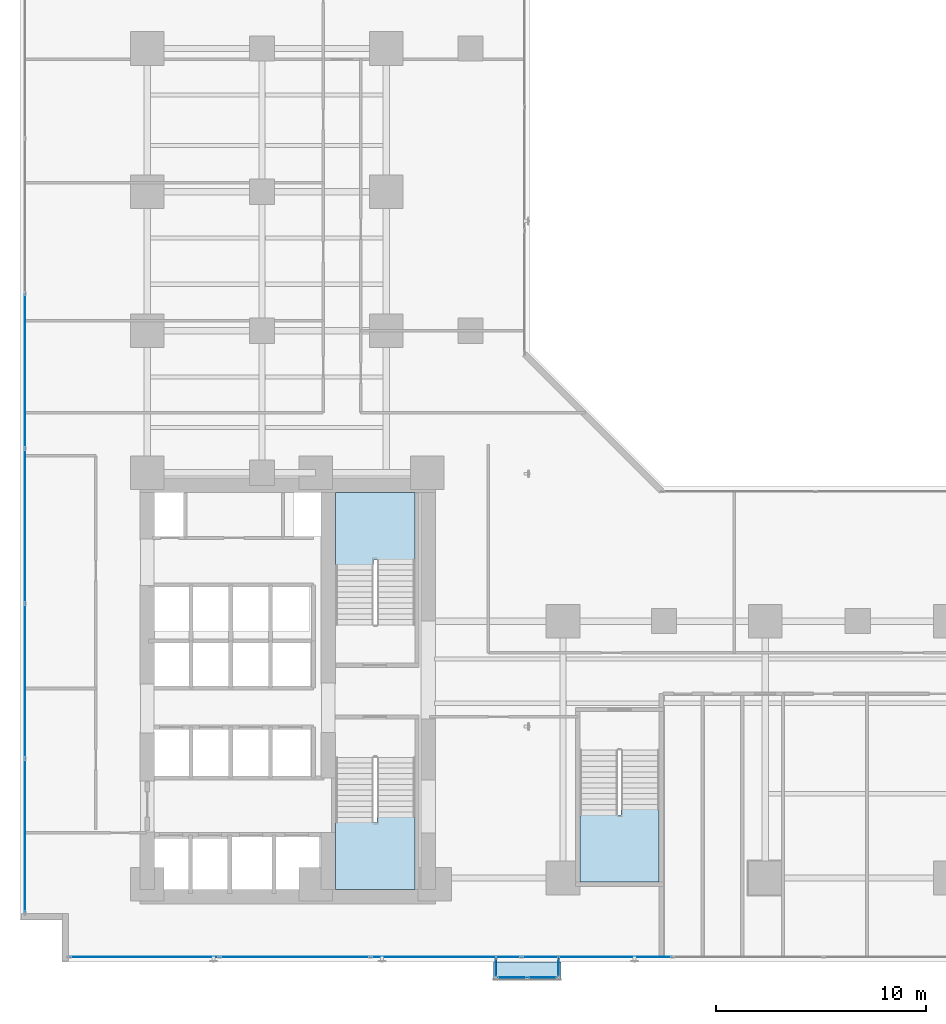
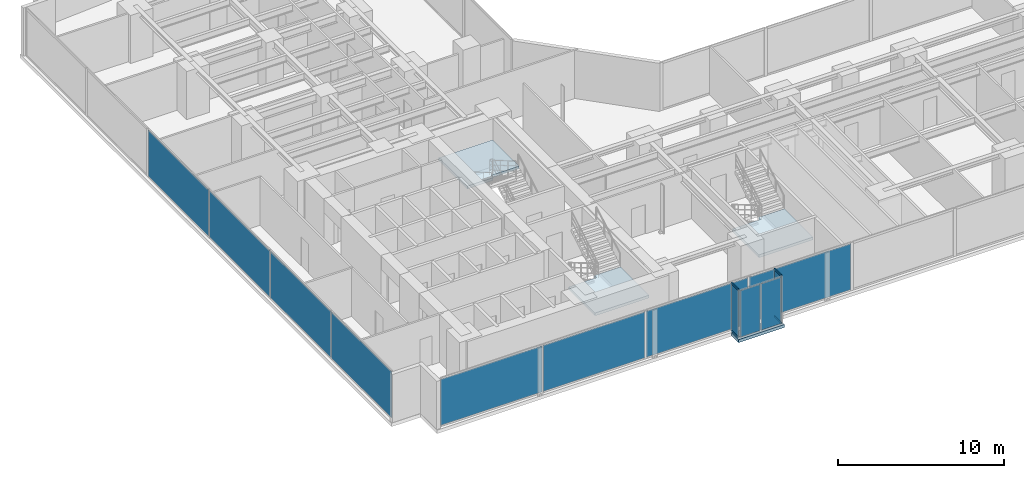
# One storey, part 20 of 27: 12 plates, 4 members, 4 slabs, 8 elements without a shape of their own.
"""IFC4 building model written with IfcOpenShell, lengths in metres."""

from ifc_helpers import new_model, si_unit, direction, frame, origin, origin_with_axes, origin_2d, place, context, subcontext, project, spatial, polyline, rectangle, hollow_rectangle, outline, extrude, source, transform, mapped, material, layer, layer_set, material_profile, profile_set, type_object, element, aggregate, save


model = new_model("IFC4")

# Units and contexts
model_context = context("Model", 3, precision=1e-05, world=origin(), true_north=direction((0.0, 1.0)))
body_context = subcontext(model_context, "Body", "Model", "MODEL_VIEW")
ifc_project = project(units=[si_unit("LENGTHUNIT", "METRE"), si_unit("AREAUNIT", "SQUARE_METRE"), si_unit("VOLUMEUNIT", "CUBIC_METRE"), si_unit("PLANEANGLEUNIT", "RADIAN"), si_unit("MASSUNIT", "GRAM", prefix="KILO")], contexts=[model_context])

# Site, building, storey
site_placement = place(None, origin())
site = spatial("IfcSite", under=ifc_project, at=site_placement, CompositionType="ELEMENT")
building_placement = place(site_placement, origin())
building = spatial("IfcBuilding", under=site, at=building_placement, Name="Kolvaren Waterfront Exchange", CompositionType="ELEMENT")
storey_placement = place(building_placement, frame((0.0, 0.0, 60.0)))
storey = spatial("IfcBuildingStorey", under=building, at=storey_placement, Name="L15", CompositionType="ELEMENT", Elevation=60.0)

# Curtain wall, members
ifc_material_1 = material(Name="Anodised bronze aluminium 6063-T6", Category="aluminium")
ifc_layer_1 = layer(ifc_material_1, 0.219970703125, Name="Anodised bronze aluminium 6063-T6")
ifc_layer_set_1 = layer_set([ifc_layer_1], Name="Anodised bronze aluminium 6063-T6")
curtain_wall_type_1 = type_object("IfcCurtainWallType", Name="ARC-CW-SYS3", PredefinedType="USERDEFINED", material=ifc_layer_set_1)
curtain_wall_1_placement = place(storey_placement, origin())
curtain_wall_1 = element("IfcCurtainWall", 1, at=curtain_wall_1_placement, inside=storey, type_object=curtain_wall_type_1, Name="L15 stick curtain wall CW3 (CW-L15-BOX-W)", ObjectType="STICK CURTAIN WALL", PredefinedType="USERDEFINED")
ifc_material_profile = material_profile(ifc_material_1, hollow_rectangle(XDim=0.06494140625, YDim=0.1298828125, WallThickness=0.00390625, at=origin_2d()), Name="ALU-TRN-130x65x4")
ifc_profile_set = profile_set([ifc_material_profile], Name="Anodised bronze aluminium 6063-T6")
member_type = type_object("IfcMemberType", Name="ARC-CWT-130", PredefinedType="USERDEFINED", material=ifc_profile_set)
shared_shape_1 = source(origin_with_axes(), body_context, "Body", "SweptSolid", [
    extrude(hollow_rectangle(XDim=0.06494140625, YDim=0.1298828125, WallThickness=0.00390625, at=origin_2d()), origin(), (0.0, 0.0, 1.0), 0.830078125),
])
member_1_placement = place(storey_placement, frame((24.010009765625, 1.364990234375, 0.032470703125), z_axis=(0.0, -1.0, 0.0), x_axis=(1.0, 0.0, 0.0)))
member_1 = element("IfcMember", 2, at=member_1_placement, type_object=member_type, Name="CW3 transom 1.1", ObjectType="TRANSOM", PredefinedType="USERDEFINED", context=body_context, shape_type="MappedRepresentation", body=[
    mapped(shared_shape_1, transform((0.0, 0.0, 0.0), x_axis=(1.0, 0.0, 0.0), y_axis=(0.0, 1.0, 0.0), z_axis=(0.0, 0.0, 1.0), scale=1.0)),
])
member_2_placement = place(storey_placement, frame((24.010009765625, 1.364990234375, 3.507568359375), z_axis=(0.0, -1.0, 0.0), x_axis=(1.0, 0.0, 0.0)))
member_2 = element("IfcMember", 3, at=member_2_placement, type_object=member_type, Name="CW3 transom 1.2", ObjectType="TRANSOM", PredefinedType="USERDEFINED", context=body_context, shape_type="MappedRepresentation", body=[
    mapped(shared_shape_1, transform((0.0, 0.0, 0.0), x_axis=(1.0, 0.0, 0.0), y_axis=(0.0, 1.0, 0.0), z_axis=(0.0, 0.0, 1.0), scale=1.0)),
])

curtain_wall_2_placement = place(storey_placement, origin())
curtain_wall_2 = element("IfcCurtainWall", 4, at=curtain_wall_2_placement, inside=storey, type_object=curtain_wall_type_1, Name="L15 stick curtain wall CW3 (CW-L15-BOX-E)", ObjectType="STICK CURTAIN WALL", PredefinedType="USERDEFINED")
member_3_placement = place(storey_placement, frame((26.989990234375, 0.534912109375, 0.032470703125), z_axis=(0.0, 1.0, 0.0), x_axis=(-1.0, 0.0, 0.0)))
member_3 = element("IfcMember", 5, at=member_3_placement, type_object=member_type, Name="CW3 transom 1.1", ObjectType="TRANSOM", PredefinedType="USERDEFINED", context=body_context, shape_type="MappedRepresentation", body=[
    mapped(shared_shape_1, transform((0.0, 0.0, 0.0), x_axis=(1.0, 0.0, 0.0), y_axis=(0.0, 1.0, 0.0), z_axis=(0.0, 0.0, 1.0), scale=1.0)),
])
member_4_placement = place(storey_placement, frame((26.989990234375, 0.534912109375, 3.507568359375), z_axis=(0.0, 1.0, 0.0), x_axis=(-1.0, 0.0, 0.0)))
member_4 = element("IfcMember", 6, at=member_4_placement, type_object=member_type, Name="CW3 transom 1.2", ObjectType="TRANSOM", PredefinedType="USERDEFINED", context=body_context, shape_type="MappedRepresentation", body=[
    mapped(shared_shape_1, transform((0.0, 0.0, 0.0), x_axis=(1.0, 0.0, 0.0), y_axis=(0.0, 1.0, 0.0), z_axis=(0.0, 0.0, 1.0), scale=1.0)),
])

# Stair, slab
ifc_material_2 = material(Name="Concrete C40/50", Category="concrete")
stair_type = type_object("IfcStairType", Name="ARC-STAIR-3800", PredefinedType="HALF_TURN_STAIR", material=ifc_material_2)
stair_1_placement = place(storey_placement, origin())
stair_1 = element("IfcStair", 7, at=stair_1_placement, inside=storey, type_object=stair_type, Name="L15 Smoke-proof exit stair ST1", PredefinedType="HALF_TURN_STAIR")
ifc_layer_2 = layer(ifc_material_2, 0.199951171875, Name="Concrete C40/50")
ifc_layer_set_2 = layer_set([ifc_layer_2], Name="Concrete C40/50")
slab_type_1 = type_object("IfcSlabType", Name="STR-LANDING-200", PredefinedType="LANDING", material=ifc_layer_set_2)
slab_1_placement = place(storey_placement, frame((0.0, 0.0, 1.77587890625)))
slab_1 = element("IfcSlab", 8, at=slab_1_placement, type_object=slab_type_1, Name="ST1 landing 1", PredefinedType="LANDING", context=body_context, shape_type="SweptSolid", body=[
    extrude(outline(polyline([(16.39990234375, 7.840087890625), (16.39990234375, 4.64990234375), (20.159912109375, 4.64990234375), (20.159912109375, 8.10009765625), (18.360107421875, 8.10009765625), (18.360107421875, 7.840087890625), (16.39990234375, 7.840087890625)])), origin(), (0.0, 0.0, 1.0), 0.2001953125),
])
aggregate(stair_1, [slab_1])

stair_2_placement = place(storey_placement, origin())
stair_2 = element("IfcStair", 9, at=stair_2_placement, inside=storey, type_object=stair_type, Name="L15 Smoke-proof exit stair ST2", PredefinedType="HALF_TURN_STAIR")
slab_2_placement = place(storey_placement, frame((0.0, 0.0, 1.77587890625)))
slab_2 = element("IfcSlab", 10, at=slab_2_placement, type_object=slab_type_1, Name="ST2 landing 1", PredefinedType="LANDING", context=body_context, shape_type="SweptSolid", body=[
    extrude(outline(polyline([(20.159912109375, 20.31005859375), (20.159912109375, 23.5), (16.39990234375, 23.5), (16.39990234375, 20.050048828125), (18.199951171875, 20.050048828125), (18.199951171875, 20.31005859375), (20.159912109375, 20.31005859375)])), origin(), (0.0, 0.0, 1.0), 0.2001953125),
])
aggregate(stair_2, [slab_2])

stair_3_placement = place(storey_placement, origin())
stair_3 = element("IfcStair", 11, at=stair_3_placement, inside=storey, type_object=stair_type, Name="L15 Exit stair ST3", PredefinedType="HALF_TURN_STAIR")
slab_3_placement = place(storey_placement, frame((0.0, 0.0, 1.77587890625)))
slab_3 = element("IfcSlab", 12, at=slab_3_placement, type_object=slab_type_1, Name="ST3 landing 1", PredefinedType="LANDING", context=body_context, shape_type="SweptSolid", body=[
    extrude(outline(polyline([(28.0, 8.18994140625), (28.0, 5.0), (31.760009765625, 5.0), (31.760009765625, 8.449951171875), (29.9599609375, 8.449951171875), (29.9599609375, 8.18994140625), (28.0, 8.18994140625)])), origin(), (0.0, 0.0, 1.0), 0.2001953125),
])
aggregate(stair_3, [slab_3])

# Slab
ifc_layer_3 = layer(ifc_material_2, 0.219970703125, Name="Concrete C40/50")
ifc_layer_set_3 = layer_set([ifc_layer_3], Name="Concrete C40/50")
slab_type_2 = type_object("IfcSlabType", Name="STR-TERR-220", PredefinedType="FLOOR", material=ifc_layer_set_3)
slab_4_placement = place(storey_placement, frame((0.0, 0.0, -0.219970703125)))
element("IfcSlab", 13, at=slab_4_placement, inside=storey, type_object=slab_type_2, Name="L15 projecting bay-box floor strip", PredefinedType="FLOOR", context=body_context, shape_type="SweptSolid", body=[
    extrude(outline(polyline([(23.89990234375, 0.35009765625), (27.10009765625, 0.35009765625), (27.10009765625, 1.199951171875), (23.89990234375, 1.199951171875), (23.89990234375, 0.35009765625)])), origin(), (0.0, 0.0, 1.0), 0.219970703125),
])

# Curtain wall, plates
ifc_layer_4 = layer(ifc_material_1, 0.219970703125, Name="Anodised bronze aluminium 6063-T6")
ifc_layer_set_4 = layer_set([ifc_layer_4], Name="Anodised bronze aluminium 6063-T6")
curtain_wall_type_2 = type_object("IfcCurtainWallType", Name="ARC-CW-SYS1", PredefinedType="USERDEFINED", material=ifc_layer_set_4)
curtain_wall_3_placement = place(storey_placement, origin())
curtain_wall_3 = element("IfcCurtainWall", 14, at=curtain_wall_3_placement, inside=storey, type_object=curtain_wall_type_2, Name="L15 stick curtain wall CW1 (CW-L15-S)", ObjectType="STICK CURTAIN WALL", PredefinedType="USERDEFINED")
ifc_material_3 = material(Name="Bronze solar control vision glass", Category="aluminium")
ifc_layer_5 = layer(ifc_material_3, 0.028076171875, Name="Bronze solar control vision glass")
ifc_layer_set_5 = layer_set([ifc_layer_5], Name="Bronze solar control vision glass")
plate_type_1 = type_object("IfcPlateType", Name="ARC-CWP-28", PredefinedType="CURTAIN_PANEL", material=ifc_layer_set_5)
shared_shape_2 = source(origin_with_axes(), body_context, "Body", "SweptSolid", [
    extrude(rectangle(XDim=7.054931640625, YDim=0.028076171875, at=origin_2d()), origin(), (0.0, 0.0, 1.0), 3.389892578125),
])
plate_1_placement = place(storey_placement, frame((7.3076171875, 1.43994140625, 0.0751953125), z_axis=(0.0, 0.0, 1.0), x_axis=(1.0, 0.0, 0.0)))
plate_1 = element("IfcPlate", 15, at=plate_1_placement, type_object=plate_type_1, Name="CW1 panel 1.1", PredefinedType="CURTAIN_PANEL", context=body_context, shape_type="MappedRepresentation", body=[
    mapped(shared_shape_2, transform((0.0, 0.0, 0.0), x_axis=(1.0, 0.0, 0.0), y_axis=(0.0, 1.0, 0.0), z_axis=(0.0, 0.0, 1.0), scale=1.0)),
])
shared_shape_3 = source(origin_with_axes(), body_context, "Body", "SweptSolid", [
    extrude(rectangle(XDim=7.094970703125, YDim=0.028076171875, at=origin_2d()), origin(), (0.0, 0.0, 1.0), 3.389892578125),
])
plate_2_placement = place(storey_placement, frame((14.46240234375, 1.43994140625, 0.0751953125), z_axis=(0.0, 0.0, 1.0), x_axis=(1.0, 0.0, 0.0)))
plate_2 = element("IfcPlate", 16, at=plate_2_placement, type_object=plate_type_1, Name="CW1 panel 2.1", PredefinedType="CURTAIN_PANEL", context=body_context, shape_type="MappedRepresentation", body=[
    mapped(shared_shape_3, transform((0.0, 0.0, 0.0), x_axis=(1.0, 0.0, 0.0), y_axis=(0.0, 1.0, 0.0), z_axis=(0.0, 0.0, 1.0), scale=1.0)),
])
plate_3_placement = place(storey_placement, frame((21.637451171875, 1.43994140625, 0.0751953125), z_axis=(0.0, 0.0, 1.0), x_axis=(1.0, 0.0, 0.0)))
plate_3 = element("IfcPlate", 17, at=plate_3_placement, type_object=plate_type_1, Name="CW1 panel 3.1", PredefinedType="CURTAIN_PANEL", context=body_context, shape_type="MappedRepresentation", body=[
    mapped(shared_shape_3, transform((0.0, 0.0, 0.0), x_axis=(1.0, 0.0, 0.0), y_axis=(0.0, 1.0, 0.0), z_axis=(0.0, 0.0, 1.0), scale=1.0)),
])
plate_4_placement = place(storey_placement, frame((28.8125, 1.43994140625, 0.0751953125), z_axis=(0.0, 0.0, 1.0), x_axis=(1.0, 0.0, 0.0)))
plate_4 = element("IfcPlate", 18, at=plate_4_placement, type_object=plate_type_1, Name="CW1 panel 4.1", PredefinedType="CURTAIN_PANEL", context=body_context, shape_type="MappedRepresentation", body=[
    mapped(shared_shape_3, transform((0.0, 0.0, 0.0), x_axis=(1.0, 0.0, 0.0), y_axis=(0.0, 1.0, 0.0), z_axis=(0.0, 0.0, 1.0), scale=1.0)),
])
aggregate(curtain_wall_3, [plate_1, plate_2, plate_3, plate_4])

ifc_material_4 = material(Name="Anodised aluminium 6063-T6", Category="aluminium")
ifc_layer_6 = layer(ifc_material_4, 0.219970703125, Name="Anodised aluminium 6063-T6")
ifc_layer_set_6 = layer_set([ifc_layer_6], Name="Anodised aluminium 6063-T6")
curtain_wall_type_3 = type_object("IfcCurtainWallType", Name="ARC-CW-SYS2", PredefinedType="USERDEFINED", material=ifc_layer_set_6)
curtain_wall_4_placement = place(storey_placement, origin())
curtain_wall_4 = element("IfcCurtainWall", 19, at=curtain_wall_4_placement, inside=storey, type_object=curtain_wall_type_3, Name="L15 stick curtain wall CW2 (CW-L15-W)", ObjectType="STICK CURTAIN WALL", PredefinedType="USERDEFINED")
ifc_material_5 = material(Name="Acoustic laminated vision glass", Category="glass")
ifc_layer_7 = layer(ifc_material_5, 0.031982421875, Name="Acoustic laminated vision glass")
ifc_layer_set_7 = layer_set([ifc_layer_7], Name="Acoustic laminated vision glass")
plate_type_2 = type_object("IfcPlateType", Name="ARC-CWP-32", PredefinedType="CURTAIN_PANEL", material=ifc_layer_set_7)
shared_shape_4 = source(origin_with_axes(), body_context, "Body", "SweptSolid", [
    extrude(rectangle(XDim=7.24658203125, YDim=0.031982421875, at=origin_2d()), origin(), (0.0, 0.0, 1.0), 3.389892578125),
])
plate_5_placement = place(storey_placement, frame((1.639892578125, 7.203369140625, 0.0751953125), z_axis=(0.0, 0.0, 1.0), x_axis=(0.0, 1.0, 0.0)))
plate_5 = element("IfcPlate", 20, at=plate_5_placement, type_object=plate_type_2, Name="CW2 panel 1.1", PredefinedType="CURTAIN_PANEL", context=body_context, shape_type="MappedRepresentation", body=[
    mapped(shared_shape_4, transform((0.0, 0.0, 0.0), x_axis=(1.0, 0.0, 0.0), y_axis=(0.0, 1.0, 0.0), z_axis=(0.0, 0.0, 1.0), scale=1.0)),
])
shared_shape_5 = source(origin_with_axes(), body_context, "Body", "SweptSolid", [
    extrude(rectangle(XDim=7.28662109375, YDim=0.031982421875, at=origin_2d()), origin(), (0.0, 0.0, 1.0), 3.389892578125),
])
plate_6_placement = place(storey_placement, frame((1.639892578125, 14.550048828125, 0.0751953125), z_axis=(0.0, 0.0, 1.0), x_axis=(0.0, 1.0, 0.0)))
plate_6 = element("IfcPlate", 21, at=plate_6_placement, type_object=plate_type_2, Name="CW2 panel 2.1", PredefinedType="CURTAIN_PANEL", context=body_context, shape_type="MappedRepresentation", body=[
    mapped(shared_shape_5, transform((0.0, 0.0, 0.0), x_axis=(1.0, 0.0, 0.0), y_axis=(0.0, 1.0, 0.0), z_axis=(0.0, 0.0, 1.0), scale=1.0)),
])
plate_7_placement = place(storey_placement, frame((1.639892578125, 21.916748046875, 0.0751953125), z_axis=(0.0, 0.0, 1.0), x_axis=(0.0, 1.0, 0.0)))
plate_7 = element("IfcPlate", 22, at=plate_7_placement, type_object=plate_type_2, Name="CW2 panel 3.1", PredefinedType="CURTAIN_PANEL", context=body_context, shape_type="MappedRepresentation", body=[
    mapped(shared_shape_5, transform((0.0, 0.0, 0.0), x_axis=(1.0, 0.0, 0.0), y_axis=(0.0, 1.0, 0.0), z_axis=(0.0, 0.0, 1.0), scale=1.0)),
])
plate_8_placement = place(storey_placement, frame((1.639892578125, 29.283447265625, 0.0751953125), z_axis=(0.0, 0.0, 1.0), x_axis=(0.0, 1.0, 0.0)))
plate_8 = element("IfcPlate", 23, at=plate_8_placement, type_object=plate_type_2, Name="CW2 panel 4.1", PredefinedType="CURTAIN_PANEL", context=body_context, shape_type="MappedRepresentation", body=[
    mapped(shared_shape_5, transform((0.0, 0.0, 0.0), x_axis=(1.0, 0.0, 0.0), y_axis=(0.0, 1.0, 0.0), z_axis=(0.0, 0.0, 1.0), scale=1.0)),
])
aggregate(curtain_wall_4, [plate_5, plate_6, plate_7, plate_8])

# Plate
ifc_material_6 = material(Name="Bronze tinted bay-box vision glass", Category="aluminium")
ifc_layer_8 = layer(ifc_material_6, 0.02392578125, Name="Bronze tinted bay-box vision glass")
ifc_layer_set_8 = layer_set([ifc_layer_8], Name="Bronze tinted bay-box vision glass")
plate_type_3 = type_object("IfcPlateType", Name="ARC-CWP-24", PredefinedType="CURTAIN_PANEL", material=ifc_layer_set_8)
shared_shape_6 = source(origin_with_axes(), body_context, "Body", "SweptSolid", [
    extrude(rectangle(XDim=0.830078125, YDim=0.02392578125, at=origin_2d()), origin(), (0.0, 0.0, 1.0), 3.409912109375),
])
plate_9_placement = place(storey_placement, frame((24.010009765625, 0.949951171875, 0.06494140625), z_axis=(0.0, 0.0, 1.0), x_axis=(0.0, -1.0, 0.0)))
plate_9 = element("IfcPlate", 24, at=plate_9_placement, type_object=plate_type_3, Name="CW3 panel 1.1", PredefinedType="CURTAIN_PANEL", context=body_context, shape_type="MappedRepresentation", body=[
    mapped(shared_shape_6, transform((0.0, 0.0, 0.0), x_axis=(1.0, 0.0, 0.0), y_axis=(0.0, 1.0, 0.0), z_axis=(0.0, 0.0, 1.0), scale=1.0)),
])

aggregate(curtain_wall_1, [member_1, member_2, plate_9])

plate_10_placement = place(storey_placement, frame((26.989990234375, 0.949951171875, 0.06494140625), z_axis=(0.0, 0.0, 1.0), x_axis=(0.0, 1.0, 0.0)))
plate_10 = element("IfcPlate", 25, at=plate_10_placement, type_object=plate_type_3, Name="CW3 panel 1.1", PredefinedType="CURTAIN_PANEL", context=body_context, shape_type="MappedRepresentation", body=[
    mapped(shared_shape_6, transform((0.0, 0.0, 0.0), x_axis=(1.0, 0.0, 0.0), y_axis=(0.0, 1.0, 0.0), z_axis=(0.0, 0.0, 1.0), scale=1.0)),
])

aggregate(curtain_wall_2, [member_3, member_4, plate_10])

# Curtain wall, plates
curtain_wall_5_placement = place(storey_placement, origin())
curtain_wall_5 = element("IfcCurtainWall", 26, at=curtain_wall_5_placement, inside=storey, type_object=curtain_wall_type_1, Name="L15 stick curtain wall CW3 (CW-L15-BOX)", ObjectType="STICK CURTAIN WALL", PredefinedType="USERDEFINED")
shared_shape_7 = source(origin_with_axes(), body_context, "Body", "SweptSolid", [
    extrude(rectangle(XDim=1.37744140625, YDim=0.02392578125, at=origin_2d()), origin(), (0.0, 0.0, 1.0), 3.409912109375),
])
plate_11_placement = place(storey_placement, frame((24.773681640625, 0.4599609375, 0.06494140625), z_axis=(0.0, 0.0, 1.0), x_axis=(1.0, 0.0, 0.0)))
plate_11 = element("IfcPlate", 27, at=plate_11_placement, type_object=plate_type_3, Name="CW3 panel 1.1", PredefinedType="CURTAIN_PANEL", context=body_context, shape_type="MappedRepresentation", body=[
    mapped(shared_shape_7, transform((0.0, 0.0, 0.0), x_axis=(1.0, 0.0, 0.0), y_axis=(0.0, 1.0, 0.0), z_axis=(0.0, 0.0, 1.0), scale=1.0)),
])
plate_12_placement = place(storey_placement, frame((26.226318359375, 0.4599609375, 0.06494140625), z_axis=(0.0, 0.0, 1.0), x_axis=(1.0, 0.0, 0.0)))
plate_12 = element("IfcPlate", 28, at=plate_12_placement, type_object=plate_type_3, Name="CW3 panel 2.1", PredefinedType="CURTAIN_PANEL", context=body_context, shape_type="MappedRepresentation", body=[
    mapped(shared_shape_7, transform((0.0, 0.0, 0.0), x_axis=(1.0, 0.0, 0.0), y_axis=(0.0, 1.0, 0.0), z_axis=(0.0, 0.0, 1.0), scale=1.0)),
])
aggregate(curtain_wall_5, [plate_11, plate_12])

save(model, "model.ifc")
